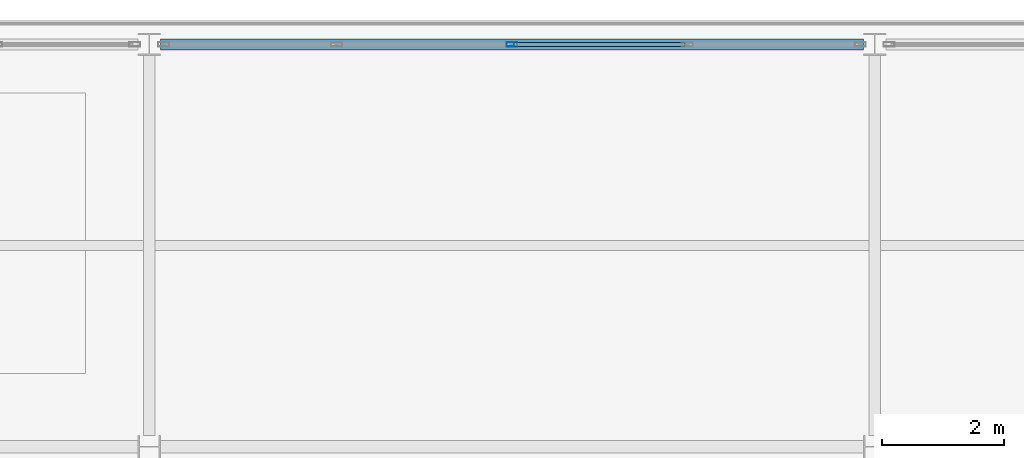
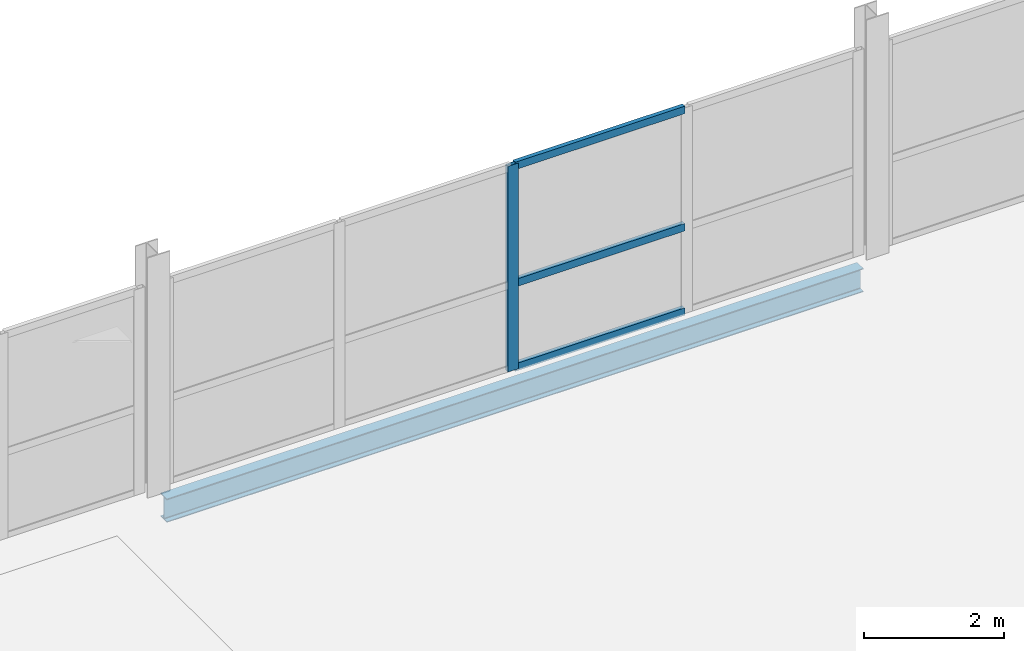
# One storey, part 8 of 16: 4 members, 1 beam, 1 element without a shape of its own.
"""IFC4 building model written with IfcOpenShell, lengths in metres."""

from ifc_helpers import new_model, si_unit, direction, frame, origin, origin_2d, place, context, subcontext, project, spatial, hollow_rectangle, i_section, extrude, material, layer, layer_set, material_profile, profile_set, type_object, element, aggregate, save


model = new_model("IFC4")

# Units and contexts
model_context = context("Model", 3, precision=1e-05, world=origin(), true_north=direction((0.0, 1.0)))
body_context = subcontext(model_context, "Body", "Model", "MODEL_VIEW")
ifc_project = project(units=[si_unit("LENGTHUNIT", "METRE"), si_unit("AREAUNIT", "SQUARE_METRE"), si_unit("VOLUMEUNIT", "CUBIC_METRE"), si_unit("PLANEANGLEUNIT", "RADIAN"), si_unit("MASSUNIT", "GRAM", prefix="KILO")], contexts=[model_context])

# Site, building, storey
site_placement = place(None, origin())
site = spatial("IfcSite", under=ifc_project, at=site_placement, CompositionType="ELEMENT")
building_placement = place(site_placement, origin())
building = spatial("IfcBuilding", under=site, at=building_placement, Name="Quillay Park Conservatory", CompositionType="ELEMENT")
storey_placement = place(building_placement, frame((0.0, 0.0, 39.300048828125)))
storey = spatial("IfcBuildingStorey", under=building, at=storey_placement, Name="L09", CompositionType="ELEMENT", Elevation=39.300048828125)

# Curtain wall, members
ifc_material_1 = material(Name="Thermally Broken Anodised Aluminium 6063-T6", Category="aluminium")
ifc_layer = layer(ifc_material_1, 0.179931640625)
ifc_layer_set = layer_set([ifc_layer], Name="UNITISED CURTAIN WALL TOWER (Thermally Broken Anodised Aluminium 6063-T6)")
curtain_wall_type = type_object("IfcCurtainWallType", Name="UNITISED CURTAIN WALL TOWER", PredefinedType="USERDEFINED", material=ifc_layer_set)
curtain_wall_placement = place(storey_placement, origin())
curtain_wall = element("IfcCurtainWall", 1, at=curtain_wall_placement, inside=storey, type_object=curtain_wall_type, Name="L09 Unitised Curtain Wall 094", ObjectType="UNITISED CURTAIN WALL", PredefinedType="USERDEFINED")
ifc_material_2 = material(Name="Thermally Broken Anodised Aluminium 6063-T6", Category="aluminium")
ifc_material_profile_1 = material_profile(ifc_material_2, hollow_rectangle(XDim=0.070068359375, YDim=0.179931640625, WallThickness=0.00390625, at=origin_2d()), Name="AL70x180x4")
ifc_profile_set_1 = profile_set([ifc_material_profile_1], Name="Thermally Broken Anodised Aluminium 6063-T6")
member_type_1 = type_object("IfcMemberType", Name="CURTAIN WALL MULLION 70 X180", PredefinedType="MULLION", material=ifc_profile_set_1)
member_1_placement = place(storey_placement, frame((13.800048828125, 113.39990234375, 0.0), z_axis=(0.0, 0.0, 1.0), x_axis=(0.0, 1.0, 0.0)))
member_1 = element("IfcMember", 2, at=member_1_placement, type_object=member_type_1, Name="CW-T1 mullion 3", PredefinedType="MULLION", context=body_context, shape_type="SweptSolid", body=[
    extrude(hollow_rectangle(XDim=0.070068359375, YDim=0.179931640625, WallThickness=0.00390625, at=origin_2d()), origin(), (0.0, 0.0, 1.0), 3.598876953125),
])
ifc_material_3 = material(Name="Thermally Broken Anodised Aluminium 6063-T6", Category="aluminium")
ifc_material_profile_2 = material_profile(ifc_material_3, hollow_rectangle(XDim=0.070068359375, YDim=0.1298828125, WallThickness=0.003173828125, at=origin_2d()), Name="AL70x130x3.2")
ifc_profile_set_2 = profile_set([ifc_material_profile_2], Name="Thermally Broken Anodised Aluminium 6063-T6")
member_type_2 = type_object("IfcMemberType", Name="CURTAIN WALL TRANSOM 70 X130", PredefinedType="USERDEFINED", material=ifc_profile_set_2)
member_2_placement = place(storey_placement, frame((13.8349609375, 113.39990234375, 0.034912109375), z_axis=(1.0, 0.0, 0.0), x_axis=(0.0, 1.0, 0.0)))
member_2 = element("IfcMember", 3, at=member_2_placement, type_object=member_type_2, Name="CW-T1 transom 3.1", ObjectType="TRANSOM", PredefinedType="USERDEFINED", context=body_context, shape_type="SweptSolid", body=[
    extrude(hollow_rectangle(XDim=0.070068359375, YDim=0.1298828125, WallThickness=0.003173828125, at=origin_2d()), origin(), (0.0, 0.0, 1.0), 2.804931640625),
])
member_3_placement = place(storey_placement, frame((13.8349609375, 113.39990234375, 1.511474609375), z_axis=(1.0, 0.0, 0.0), x_axis=(0.0, 1.0, 0.0)))
member_3 = element("IfcMember", 4, at=member_3_placement, type_object=member_type_2, Name="CW-T1 transom 3.2", ObjectType="TRANSOM", PredefinedType="USERDEFINED", context=body_context, shape_type="SweptSolid", body=[
    extrude(hollow_rectangle(XDim=0.070068359375, YDim=0.1298828125, WallThickness=0.003173828125, at=origin_2d()), origin(), (0.0, 0.0, 1.0), 2.804931640625),
])
member_4_placement = place(storey_placement, frame((13.8349609375, 113.39990234375, 3.56396484375), z_axis=(1.0, 0.0, 0.0), x_axis=(0.0, 1.0, 0.0)))
member_4 = element("IfcMember", 5, at=member_4_placement, type_object=member_type_2, Name="CW-T1 transom 3.3", ObjectType="TRANSOM", PredefinedType="USERDEFINED", context=body_context, shape_type="SweptSolid", body=[
    extrude(hollow_rectangle(XDim=0.070068359375, YDim=0.1298828125, WallThickness=0.003173828125, at=origin_2d()), origin(), (0.0, 0.0, 1.0), 2.804931640625),
])
aggregate(curtain_wall, [member_1, member_2, member_3, member_4])

# Beam
ifc_material_4 = material(Name="Steel ASTM A992 Grade 50", Category="steel")
ifc_material_profile_3 = material_profile(ifc_material_4, i_section(OverallWidth=0.179931640625, OverallDepth=0.4130859375, WebThickness=0.009765625, FlangeThickness=0.01611328125, FilletRadius=0.011962890625, at=origin_2d()), Name="W410x74")
ifc_profile_set_3 = profile_set([ifc_material_profile_3], Name="Steel ASTM A992 Grade 50")
beam_type = type_object("IfcBeamType", Name="PERIMETER SPANDREL BEAM W410 X74", PredefinedType="SPANDREL", material=ifc_profile_set_3)
beam_placement = place(storey_placement, frame((8.035400390625, 113.39990234375, -0.406494140625), z_axis=(1.0, 0.0, 0.0), x_axis=(0.0, 1.0, 0.0)))
element("IfcBeam", 6, at=beam_placement, inside=storey, type_object=beam_type, Name="L09 beam BM-SP-0669", PredefinedType="SPANDREL", context=body_context, shape_type="SweptSolid", body=[
    extrude(i_section(OverallWidth=0.179931640625, OverallDepth=0.4130859375, WebThickness=0.009765625, FlangeThickness=0.01611328125, FilletRadius=0.011962890625, at=origin_2d()), origin(), (0.0, 0.0, 1.0), 11.529052734375),
])

save(model, "model.ifc")
